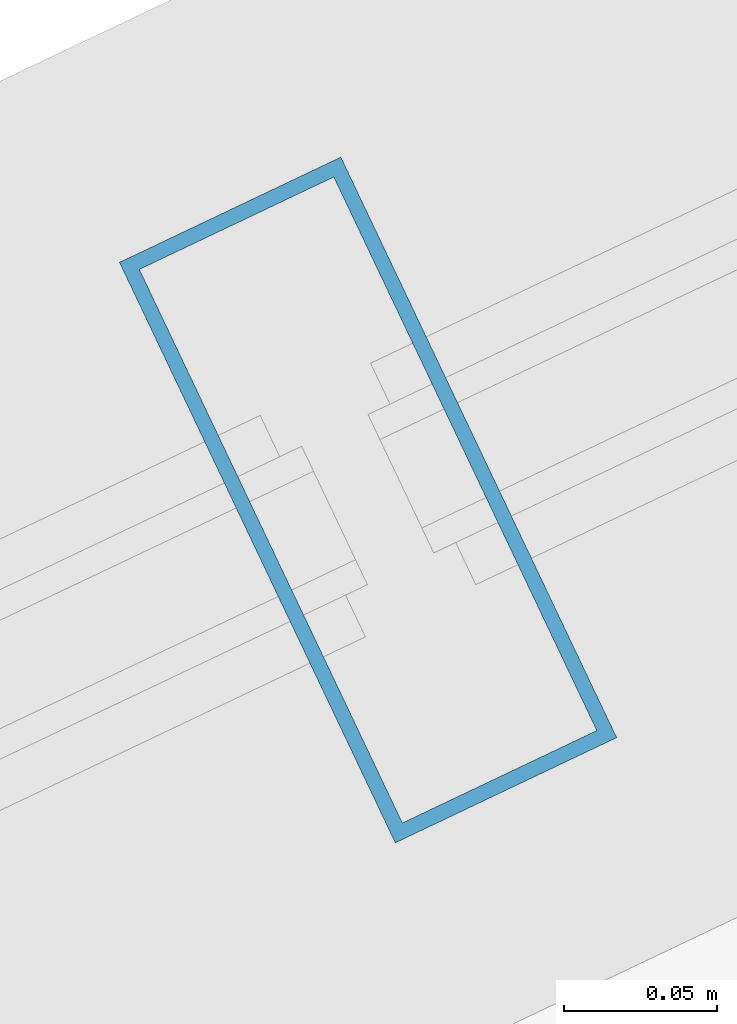
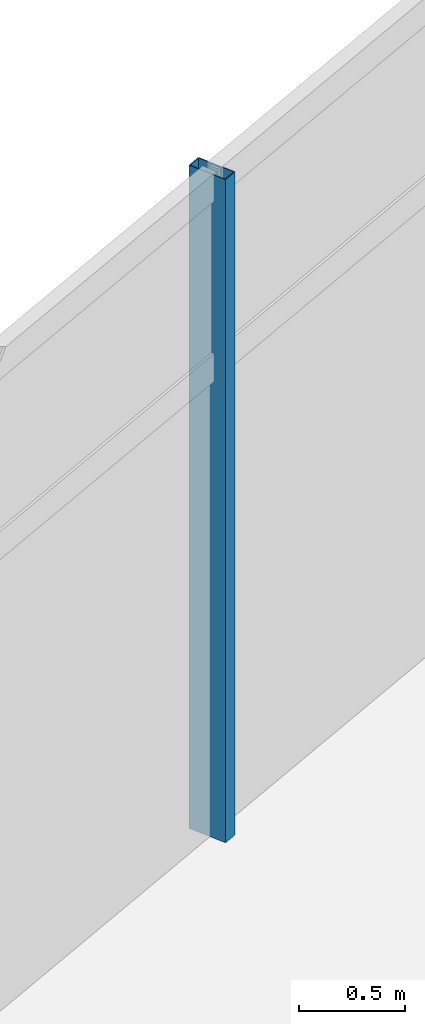
# One storey, part 85 of 171: 1 member, 1 element without a shape of its own.
"""IFC4 building model written with IfcOpenShell, lengths in metres."""

import ifcopenshell
import ifcopenshell.guid

model = None  # the IFC model being written
_history = None  # IfcOwnerHistory: only IFC2X3 demands one
_inside = {}  # id of a spatial element -> (the spatial element, [elements in it])
_under = {}  # id of a project, library or spatial element -> (it, [spatial elements below it])
_declared = {}  # id of a project -> (the project, [libraries it declares])
_typed = {}  # id of a type object -> (the type object, [elements of that type])
_made_of = {}  # id of a material, layer set ... -> (it, [elements and type objects made of it])


def new_model(schema):
    """Start an empty IFC model of exactly this schema.

    Asked for "IFC4X3", IfcOpenShell would pick the latest addendum, in which some entities
    have other attributes; the version numbers below select the first issue.
    IFC2X3 requires an IfcOwnerHistory on every rooted entity: one is made here for all.
    """
    global model, _history
    if schema == "IFC4X3":
        model = ifcopenshell.file(schema_version=(4, 3, 0, 0))
    else:
        model = ifcopenshell.file(schema=schema)
    _inside.clear()
    _under.clear()
    _declared.clear()
    _typed.clear()
    _made_of.clear()
    _history = None
    if model.schema == "IFC2X3":
        org = make("IfcOrganization", Name="unknown")
        user = make(
            "IfcPersonAndOrganization",
            ThePerson=make("IfcPerson", FamilyName="unknown"),
            TheOrganization=org,
        )
        app = make(
            "IfcApplication",
            ApplicationDeveloper=org,
            Version="unknown",
            ApplicationFullName="unknown",
            ApplicationIdentifier="unknown",
        )
        _history = make(
            "IfcOwnerHistory",
            OwningUser=user,
            OwningApplication=app,
            ChangeAction="ADDED",
            CreationDate=0,
        )
    return model


def make(cls, **values):
    """One entity of the class cls with the attributes given. An attribute that is None is left unset."""
    return model.create_entity(
        cls, **{name: value for name, value in values.items() if value is not None}
    )


def rooted(cls, **values):
    """An entity with a GlobalId (a new one), such as an element, a storey or a relation."""
    return make(cls, GlobalId=ifcopenshell.guid.new(), OwnerHistory=_history, **values)


def si_unit(unit_type, name, prefix=None):
    """IfcSIUnit, for example si_unit("LENGTHUNIT", "METRE", prefix="MILLI")."""
    return make("IfcSIUnit", UnitType=unit_type, Prefix=prefix, Name=name)


def assignment(units):
    """IfcUnitAssignment: the units of a project."""
    return None if units is None else make("IfcUnitAssignment", Units=units)


def point(xyz):
    """IfcCartesianPoint."""
    return None if xyz is None else make("IfcCartesianPoint", Coordinates=xyz)


def direction(xyz):
    """IfcDirection."""
    return None if xyz is None else make("IfcDirection", DirectionRatios=xyz)


def frame(location, z_axis=None, x_axis=None):
    """IfcAxis2Placement3D, a coordinate frame: its origin and axes. An axis left out is left unset."""
    return make(
        "IfcAxis2Placement3D",
        Location=point(location),
        Axis=direction(z_axis),
        RefDirection=direction(x_axis),
    )


def frame_2d(location, x_axis=None):
    """IfcAxis2Placement2D, a coordinate frame in the plane: its origin and x axis."""
    return make(
        "IfcAxis2Placement2D", Location=point(location), RefDirection=direction(x_axis)
    )


def origin():
    """The frame at (0, 0, 0) with its axes left unset."""
    return frame((0.0, 0.0, 0.0))


def origin_2d():
    """The frame at (0, 0) in the plane with its x axis left unset."""
    return frame_2d((0.0, 0.0))


def place(relative_to, where):
    """IfcLocalPlacement: puts the frame where relative to a parent placement (None: the world)."""
    return make(
        "IfcLocalPlacement", PlacementRelTo=relative_to, RelativePlacement=where
    )


def context(
    kind, dimensions, precision=None, world=None, true_north=None, identifier=None
):
    """IfcGeometricRepresentationContext, for example the 3D "Model" context."""
    return make(
        "IfcGeometricRepresentationContext",
        ContextIdentifier=identifier,
        ContextType=kind,
        CoordinateSpaceDimension=dimensions,
        Precision=precision,
        WorldCoordinateSystem=world,
        TrueNorth=true_north,
    )


def subcontext(parent, identifier, kind, view, scale=None):
    """IfcGeometricRepresentationSubContext, for example "Body" below "Model"."""
    return make(
        "IfcGeometricRepresentationSubContext",
        ContextIdentifier=identifier,
        ContextType=kind,
        ParentContext=parent,
        TargetScale=scale,
        TargetView=view,
    )


def project(units=None, contexts=None):
    """IfcProject with its units and contexts."""
    return rooted(
        "IfcProject",
        Name="project",
        RepresentationContexts=contexts,
        UnitsInContext=assignment(units),
    )


def spatial(cls, under=None, at=None, **own):
    """A site, building, storey or space (cls), placed at a placement, below another one or the project."""
    s = rooted(cls, ObjectPlacement=at, **own)
    if under is not None:
        _under.setdefault(under.id(), (under, []))[1].append(s)
    return s


def profile(cls, at=None, kind="AREA", **sizes):
    """A parametric profile (cls). Its sizes go by their IFC names, for example OverallWidth=200.0."""
    return make(cls, ProfileType=kind, Position=at, **sizes)


def hollow_rectangle(**sizes):
    """IfcRectangleHollowProfileDef."""
    return profile("IfcRectangleHollowProfileDef", **sizes)


def extrude(swept, where, along, depth):
    """IfcExtrudedAreaSolid: the profile swept, set in the frame where, extruded along a direction by depth."""
    return make(
        "IfcExtrudedAreaSolid",
        SweptArea=swept,
        Position=where,
        ExtrudedDirection=direction(along),
        Depth=depth,
    )


def shape(context_of_items, identifier, shape_type, items):
    """IfcShapeRepresentation: the items that make up one representation, for example the "Body"."""
    return make(
        "IfcShapeRepresentation",
        ContextOfItems=context_of_items,
        RepresentationIdentifier=identifier,
        RepresentationType=shape_type,
        Items=items,
    )


def material(Name=None, Category=None):
    """IfcMaterial."""
    return make("IfcMaterial", Name=Name, Category=Category)


def layer(
    of_material, thickness, ventilated=None, Name=None, Category=None, Priority=None
):
    """IfcMaterialLayer: one layer of a wall or slab, of a material (None: an air gap)."""
    return make(
        "IfcMaterialLayer",
        Material=of_material,
        LayerThickness=thickness,
        IsVentilated=ventilated,
        Name=Name,
        Category=Category,
        Priority=Priority,
    )


def layer_set(layers, Name=None):
    """IfcMaterialLayerSet."""
    return make("IfcMaterialLayerSet", MaterialLayers=layers, LayerSetName=Name)


def material_profile(
    of_material, cross_section, Name=None, Category=None, Priority=None
):
    """IfcMaterialProfile: a cross section and its material."""
    return make(
        "IfcMaterialProfile",
        Name=Name,
        Material=of_material,
        Profile=cross_section,
        Priority=Priority,
        Category=Category,
    )


def profile_set(profiles, Name=None, composite=None):
    """IfcMaterialProfileSet."""
    return make(
        "IfcMaterialProfileSet",
        Name=Name,
        MaterialProfiles=profiles,
        CompositeProfile=composite,
    )


def made_of(thing, what):
    """Note that an element or type object is made of a material, layer set ...; save() writes the relation."""
    if what is not None:
        _made_of.setdefault(what.id(), (what, []))[1].append(thing)
    return thing


def type_object(cls, material=None, **own):
    """A type object (cls), such as IfcWallType, which elements share."""
    return made_of(rooted(cls, **own), material)


def element(
    cls,
    number,
    at=None,
    inside=None,
    cuts=None,
    type_object=None,
    material=None,
    context=None,
    identifier="Body",
    shape_type=None,
    held_by="IfcProductDefinitionShape",
    body=None,
    shapes=None,
    **own,
):
    """One element of the class cls, such as IfcWall. Its Tag is "e" and its number.

    at: its placement. inside: the storey or other place that contains it. cuts: it is an
    opening in that element (IfcRelVoidsElement). A single representation is given by context,
    identifier, shape_type and body (its items); several are given by shapes. held_by: the class
    of the entity that holds the representations. save() writes the other relations.
    """
    e = rooted(cls, Tag="e%d" % number, ObjectPlacement=at, **own)
    if body is not None:
        shapes = [shape(context, identifier, shape_type, body)]
    if shapes is not None:
        e.Representation = make(held_by, Representations=shapes)
    if inside is not None:
        _inside.setdefault(inside.id(), (inside, []))[1].append(e)
    if cuts is not None:
        rooted(
            "IfcRelVoidsElement", RelatingBuildingElement=cuts, RelatedOpeningElement=e
        )
    if type_object is not None:
        _typed.setdefault(type_object.id(), (type_object, []))[1].append(e)
    return made_of(e, material)


def aggregate(whole, parts):
    """IfcRelAggregates: a whole, such as a stair, and the parts it consists of."""
    return rooted("IfcRelAggregates", RelatingObject=whole, RelatedObjects=parts)


def save(model, path):
    """Write the relations noted so far, then the file.

    IfcRelAggregates (storeys below a building ...), IfcRelContainedInSpatialStructure (elements
    in a storey), IfcRelDefinesByType, IfcRelAssociatesMaterial and IfcRelDeclares: one each for
    every whole, place, type object, material and project.
    """
    for whole, parts in _under.values():
        aggregate(whole, parts)
    for where, things in _inside.values():
        rooted(
            "IfcRelContainedInSpatialStructure",
            RelatedElements=things,
            RelatingStructure=where,
        )
    for kind, things in _typed.values():
        rooted("IfcRelDefinesByType", RelatedObjects=things, RelatingType=kind)
    for what, things in _made_of.values():
        rooted("IfcRelAssociatesMaterial", RelatedObjects=things, RelatingMaterial=what)
    for by, libraries in _declared.values():
        rooted("IfcRelDeclares", RelatingContext=by, RelatedDefinitions=libraries)
    model.write(path)


model = new_model("IFC4")

# Units and contexts
model_context = context("Model", 3, precision=1e-05, world=origin(), true_north=direction((0.0, 1.0)))
body_context = subcontext(model_context, "Body", "Model", "MODEL_VIEW")
ifc_project = project(units=[si_unit("LENGTHUNIT", "METRE"), si_unit("AREAUNIT", "SQUARE_METRE"), si_unit("VOLUMEUNIT", "CUBIC_METRE"), si_unit("PLANEANGLEUNIT", "RADIAN"), si_unit("MASSUNIT", "GRAM", prefix="KILO")], contexts=[model_context])

# Site, building, storey
site_placement = place(None, origin())
site = spatial("IfcSite", under=ifc_project, at=site_placement, CompositionType="ELEMENT")
building_placement = place(site_placement, origin())
building = spatial("IfcBuilding", under=site, at=building_placement, Name="Kazemori Nagisa Stadium", CompositionType="ELEMENT")
storey_placement = place(building_placement, frame((0.0, 0.0, 15.639892578125)))
storey = spatial("IfcBuildingStorey", under=building, at=storey_placement, Name="L03", CompositionType="ELEMENT", Elevation=15.639892578125)

# Curtain wall, member
ifc_material_1 = material(Name="Anodised aluminium 6063-T5", Category="aluminium")
ifc_layer = layer(ifc_material_1, 0.2099609375, Name="Anodised aluminium 6063-T5", Category="aluminium")
ifc_layer_set = layer_set([ifc_layer], Name="Anodised aluminium 6063-T5")
curtain_wall_type = type_object("IfcCurtainWallType", Name="CW_L03R3_105", PredefinedType="USERDEFINED", material=ifc_layer_set)
curtain_wall_placement = place(storey_placement, origin())
curtain_wall = element("IfcCurtainWall", 1, at=curtain_wall_placement, inside=storey, type_object=curtain_wall_type, Name="Unitised curtain wall CW-L03R3-105 L03", ObjectType="UNITISED CURTAIN WALL", PredefinedType="USERDEFINED")
ifc_material_2 = material(Name="Aluminium 6063-T5 anodised", Category="aluminium")
ifc_material_profile = material_profile(ifc_material_2, hollow_rectangle(XDim=0.080078125, YDim=0.2099609375, WallThickness=0.0048828125, at=origin_2d()), Name="ALU-MULL-80x210x5")
ifc_profile_set = profile_set([ifc_material_profile], Name="Aluminium 6063-T5 anodised")
member_type = type_object("IfcMemberType", Name="Mullion_M02", PredefinedType="MULLION", material=ifc_profile_set)
member_placement = place(storey_placement, frame((67.142822265625, 176.261962890625, 0.0), z_axis=(0.0, 0.0, 1.0), x_axis=(-0.903215892654, -0.429186499388, 0.0)))
member = element("IfcMember", 2, at=member_placement, type_object=member_type, Name="Curtain wall mullion CW-L03R3-105-M3", PredefinedType="MULLION", context=body_context, shape_type="SweptSolid", body=[
    extrude(hollow_rectangle(XDim=0.080078125, YDim=0.2099609375, WallThickness=0.0048828125, at=origin_2d()), origin(), (0.0, 0.0, 1.0), 3.81005859375),
])
aggregate(curtain_wall, [member])

save(model, "model.ifc")
